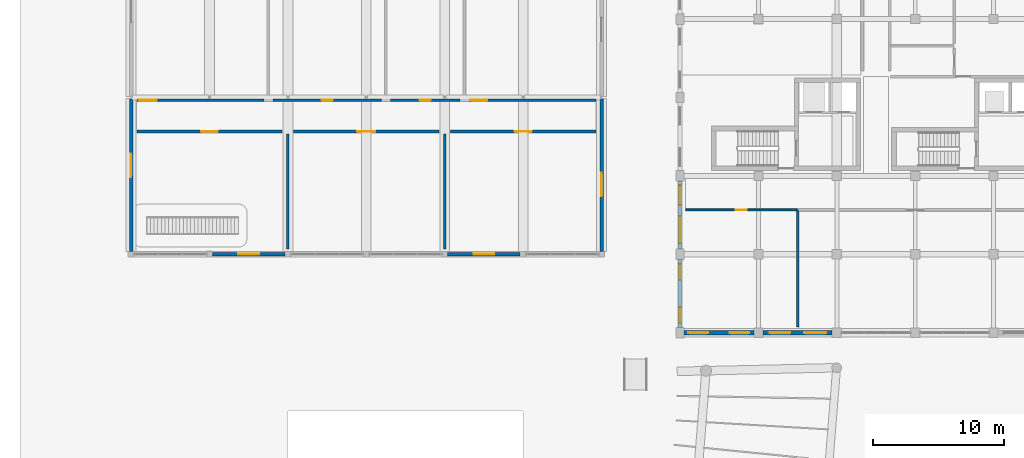
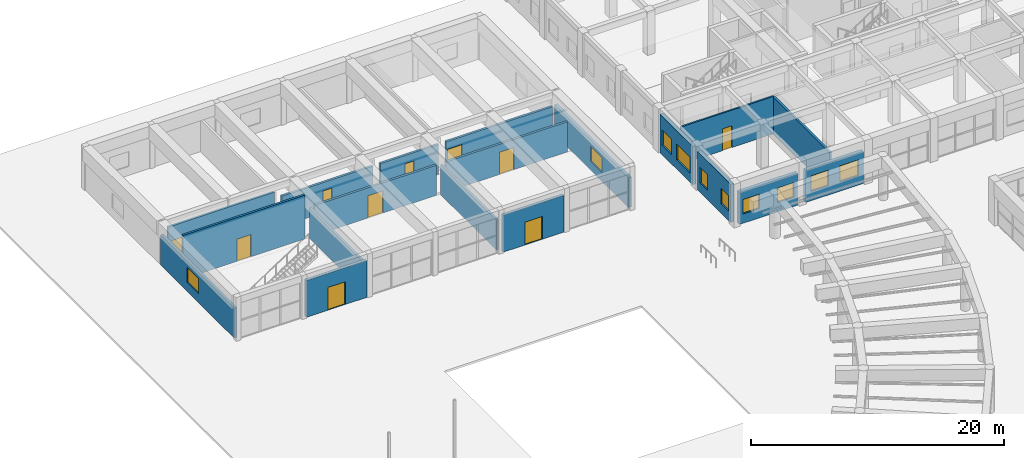
# One storey, part 54 of 76: 19 walls, 10 doors, 10 windows, 20 openings.
"""IFC4 building model written with IfcOpenShell, lengths in metres."""

from ifc_helpers import new_model, si_unit, direction, frame, frame_2d, origin, place, context, subcontext, project, spatial, rectangle, extrude, material, layer, layer_set, type_object, element, fill, save


model = new_model("IFC4")

# Units and contexts
model_context = context("Model", 3, precision=1e-05, world=origin(), true_north=direction((0.0, 1.0)))
body_context = subcontext(model_context, "Body", "Model", "MODEL_VIEW")
ifc_project = project(units=[si_unit("LENGTHUNIT", "METRE"), si_unit("AREAUNIT", "SQUARE_METRE"), si_unit("VOLUMEUNIT", "CUBIC_METRE"), si_unit("PLANEANGLEUNIT", "RADIAN"), si_unit("MASSUNIT", "GRAM", prefix="KILO"), si_unit("POWERUNIT", "WATT"), si_unit("THERMODYNAMICTEMPERATUREUNIT", "KELVIN")], contexts=[model_context])

# Site, building, storey
site_placement = place(None, origin())
site = spatial("IfcSite", under=ifc_project, at=site_placement, CompositionType="ELEMENT")
building_placement = place(site_placement, origin())
building = spatial("IfcBuilding", under=site, at=building_placement, Name="Ruvembo Vaulted Housing Court", CompositionType="ELEMENT")
storey_placement = place(building_placement, origin())
storey = spatial("IfcBuildingStorey", under=building, at=storey_placement, Name="L00", CompositionType="ELEMENT", Elevation=0.0)

# Wall, opening, door
ifc_material_1 = material(Name="Concrete Blockwork 200", Category="masonry")
ifc_layer_1 = layer(ifc_material_1, 0.199951171875, Name="Concrete Blockwork 200")
ifc_layer_set_1 = layer_set([ifc_layer_1], Name="Concrete Blockwork 200")
wall_type_1 = type_object("IfcWallType", Name="WL-CORR-200", PredefinedType="SOLIDWALL", material=ifc_layer_set_1)
wall_1_placement = place(storey_placement, frame((6.43994140625, 93.39990234375, 0.0), z_axis=(0.0, 0.0, 1.0), x_axis=(1.0, 0.0, 0.0)))
wall_1 = element("IfcWall", 1, at=wall_1_placement, inside=storey, type_object=wall_type_1, Name="L00 Nursery Reception & Stroller Lobby WL-INT-L00-00065", PredefinedType="SOLIDWALL", context=body_context, shape_type="SweptSolid", body=[
    extrude(rectangle(XDim=11.1201171875, YDim=0.199951171875, at=frame_2d((5.56005859375, 0.0))), origin(), (0.0, 0.0, 1.0), 4.22998046875),
])
opening_1_placement = place(wall_1_placement, frame((4.909912109375, 0.0, 0.0)))
opening_1 = element("IfcOpeningElement", 2, at=opening_1_placement, cuts=wall_1, Name="Opening CD2", PredefinedType="OPENING", context=body_context, shape_type="SweptSolid", body=[
    extrude(rectangle(XDim=1.300048828125, YDim=2.14990234375, at=frame_2d((0.64990234375, 1.074951171875))), frame((0.0, 0.10986328125, 0.0), z_axis=(0.0, -1.0, 0.0), x_axis=(1.0, 0.0, 0.0)), (0.0, 0.0, 1.0), 0.219970703125),
])
ifc_material_2 = material(Name="FSC Hardwood and Engineered Timber", Category="wood")
door_type_1 = type_object("IfcDoorType", Name="DR-CIVIC-1300x2150", OperationType="NOTDEFINED", PredefinedType="DOOR", material=ifc_material_2)
door_1_placement = place(opening_1_placement, origin())
door_1 = element("IfcDoor", 3, at=door_1_placement, inside=storey, type_object=door_type_1, Name="L00 Nursery Reception & Stroller Lobby Door DR-INT-L00-00021", OperationType="SINGLE_SWING_LEFT", OverallHeight=2.14990234375, OverallWidth=1.300048828125, PredefinedType="DOOR", context=body_context, shape_type="SweptSolid", body=[
    extrude(rectangle(XDim=1.300048828125, YDim=2.14990234375, at=frame_2d((0.64990234375, 1.074951171875))), frame((0.0, 0.02490234375, 0.0), z_axis=(0.0, -1.0, 0.0), x_axis=(1.0, 0.0, 0.0)), (0.0, 0.0, 1.0), 0.050048828125),
])
fill(opening_1, door_1)

# Wall
wall_2_placement = place(storey_placement, frame((18.0, 84.389892578125, 0.0), z_axis=(0.0, 0.0, 1.0), x_axis=(0.0, 1.0, 0.0)))
element("IfcWall", 4, at=wall_2_placement, inside=storey, type_object=wall_type_1, Name="L00 Nursery Reception & Stroller Lobby Div WL-INT-L00-00066", PredefinedType="SOLIDWALL", context=body_context, shape_type="SweptSolid", body=[
    extrude(rectangle(XDim=8.820068359375, YDim=0.199951171875, at=frame_2d((4.41015625, 0.0))), origin(), (0.0, 0.0, 1.0), 2.912109375),
])

# Wall, opening, door
wall_3_placement = place(storey_placement, frame((18.43994140625, 93.39990234375, 0.0), z_axis=(0.0, 0.0, 1.0), x_axis=(1.0, 0.0, 0.0)))
wall_3 = element("IfcWall", 5, at=wall_3_placement, inside=storey, type_object=wall_type_1, Name="L00 Toddler Playroom 1 WL-INT-L00-00067", PredefinedType="SOLIDWALL", context=body_context, shape_type="SweptSolid", body=[
    extrude(rectangle(XDim=11.1201171875, YDim=0.199951171875, at=frame_2d((5.56005859375, 0.0))), origin(), (0.0, 0.0, 1.0), 2.912109375),
])
opening_2_placement = place(wall_3_placement, frame((4.860107421875, 0.0, 0.0)))
opening_2 = element("IfcOpeningElement", 6, at=opening_2_placement, cuts=wall_3, Name="Opening CD1", PredefinedType="OPENING", context=body_context, shape_type="SweptSolid", body=[
    extrude(rectangle(XDim=1.39990234375, YDim=2.14990234375, at=frame_2d((0.699951171875, 1.074951171875))), frame((0.0, 0.10986328125, 0.0), z_axis=(0.0, -1.0, 0.0), x_axis=(1.0, 0.0, 0.0)), (0.0, 0.0, 1.0), 0.219970703125),
])
door_type_2 = type_object("IfcDoorType", Name="DR-CIVIC-1400x2150", OperationType="NOTDEFINED", PredefinedType="DOOR", material=ifc_material_2)
door_2_placement = place(opening_2_placement, origin())
door_2 = element("IfcDoor", 7, at=door_2_placement, inside=storey, type_object=door_type_2, Name="L00 Toddler Playroom 1 Door DR-INT-L00-00022", OperationType="SINGLE_SWING_RIGHT", OverallHeight=2.14990234375, OverallWidth=1.39990234375, PredefinedType="DOOR", context=body_context, shape_type="SweptSolid", body=[
    extrude(rectangle(XDim=1.39990234375, YDim=2.14990234375, at=frame_2d((0.699951171875, 1.074951171875))), frame((0.0, 0.02490234375, 0.0), z_axis=(0.0, -1.0, 0.0), x_axis=(1.0, 0.0, 0.0)), (0.0, 0.0, 1.0), 0.050048828125),
])
fill(opening_2, door_2)

# Wall
wall_4_placement = place(storey_placement, frame((30.0, 84.389892578125, 0.0), z_axis=(0.0, 0.0, 1.0), x_axis=(0.0, 1.0, 0.0)))
element("IfcWall", 8, at=wall_4_placement, inside=storey, type_object=wall_type_1, Name="L00 Toddler Playroom 1 Div WL-INT-L00-00068", PredefinedType="SOLIDWALL", context=body_context, shape_type="SweptSolid", body=[
    extrude(rectangle(XDim=8.820068359375, YDim=0.199951171875, at=frame_2d((4.41015625, 0.0))), origin(), (0.0, 0.0, 1.0), 2.912109375),
])

# Wall, opening, door
wall_5_placement = place(storey_placement, frame((30.43994140625, 93.39990234375, 0.0), z_axis=(0.0, 0.0, 1.0), x_axis=(1.0, 0.0, 0.0)))
wall_5 = element("IfcWall", 9, at=wall_5_placement, inside=storey, type_object=wall_type_1, Name="L00 Preschool Playroom 2 WL-INT-L00-00069", PredefinedType="SOLIDWALL", context=body_context, shape_type="SweptSolid", body=[
    extrude(rectangle(XDim=11.1201171875, YDim=0.199951171875, at=frame_2d((5.56005859375, 0.0))), origin(), (0.0, 0.0, 1.0), 2.912109375),
])
opening_3_placement = place(wall_5_placement, frame((4.909912109375, 0.0, 0.0)))
opening_3 = element("IfcOpeningElement", 10, at=opening_3_placement, cuts=wall_5, Name="Opening CD2", PredefinedType="OPENING", context=body_context, shape_type="SweptSolid", body=[
    extrude(rectangle(XDim=1.300048828125, YDim=2.14990234375, at=frame_2d((0.64990234375, 1.074951171875))), frame((0.0, 0.10986328125, 0.0), z_axis=(0.0, -1.0, 0.0), x_axis=(1.0, 0.0, 0.0)), (0.0, 0.0, 1.0), 0.219970703125),
])
door_3_placement = place(opening_3_placement, origin())
door_3 = element("IfcDoor", 11, at=door_3_placement, inside=storey, type_object=door_type_1, Name="L00 Preschool Playroom 2 Door DR-INT-L00-00023", OperationType="SINGLE_SWING_LEFT", OverallHeight=2.14990234375, OverallWidth=1.300048828125, PredefinedType="DOOR", context=body_context, shape_type="SweptSolid", body=[
    extrude(rectangle(XDim=1.300048828125, YDim=2.14990234375, at=frame_2d((0.64990234375, 1.074951171875))), frame((0.0, 0.02490234375, 0.0), z_axis=(0.0, -1.0, 0.0), x_axis=(1.0, 0.0, 0.0)), (0.0, 0.0, 1.0), 0.050048828125),
])
fill(opening_3, door_3)

wall_6_placement = place(storey_placement, frame((6.43994140625, 95.800048828125, 0.0), z_axis=(0.0, 0.0, 1.0), x_axis=(1.0, 0.0, 0.0)))
wall_6 = element("IfcWall", 12, at=wall_6_placement, inside=storey, type_object=wall_type_1, Name="L00 Milk Kitchen & Pantry WL-INT-L00-00070", PredefinedType="SOLIDWALL", context=body_context, shape_type="SweptSolid", body=[
    extrude(rectangle(XDim=9.719970703125, YDim=0.199951171875, at=frame_2d((4.85986328125, 0.0))), origin(), (0.0, 0.0, 1.0), 3.56201171875),
])
opening_4_placement = place(wall_6_placement, frame((0.1298828125, 0.0, 0.0)))
opening_4 = element("IfcOpeningElement", 13, at=opening_4_placement, cuts=wall_6, Name="Opening CD1", PredefinedType="OPENING", context=body_context, shape_type="SweptSolid", body=[
    extrude(rectangle(XDim=1.39990234375, YDim=2.14990234375, at=frame_2d((0.699951171875, 1.074951171875))), frame((0.0, 0.10986328125, 0.0), z_axis=(0.0, -1.0, 0.0), x_axis=(1.0, 0.0, 0.0)), (0.0, 0.0, 1.0), 0.219970703125),
])
door_4_placement = place(opening_4_placement, origin())
door_4 = element("IfcDoor", 14, at=door_4_placement, inside=storey, type_object=door_type_2, Name="L00 Milk Kitchen & Pantry Door DR-INT-L00-00024", OperationType="SINGLE_SWING_RIGHT", OverallHeight=2.14990234375, OverallWidth=1.39990234375, PredefinedType="DOOR", context=body_context, shape_type="SweptSolid", body=[
    extrude(rectangle(XDim=1.39990234375, YDim=2.14990234375, at=frame_2d((0.699951171875, 1.074951171875))), frame((0.0, 0.02490234375, 0.0), z_axis=(0.0, -1.0, 0.0), x_axis=(1.0, 0.0, 0.0)), (0.0, 0.0, 1.0), 0.050048828125),
])
fill(opening_4, door_4)

wall_7_placement = place(storey_placement, frame((16.840087890625, 95.800048828125, 0.0), z_axis=(0.0, 0.0, 1.0), x_axis=(1.0, 0.0, 0.0)))
wall_7 = element("IfcWall", 15, at=wall_7_placement, inside=storey, type_object=wall_type_1, Name="L00 Children's Toilets and Changing WL-INT-L00-00072", PredefinedType="SOLIDWALL", context=body_context, shape_type="SweptSolid", body=[
    extrude(rectangle(XDim=8.31982421875, YDim=0.199951171875, at=frame_2d((4.159912109375, 0.0))), origin(), (0.0, 0.0, 1.0), 2.912109375),
])
opening_5_placement = place(wall_7_placement, frame((3.735107421875, 0.0, 0.0)))
opening_5 = element("IfcOpeningElement", 16, at=opening_5_placement, cuts=wall_7, Name="Opening ID2", PredefinedType="OPENING", context=body_context, shape_type="SweptSolid", body=[
    extrude(rectangle(XDim=0.85009765625, YDim=2.10009765625, at=frame_2d((0.425048828125, 1.050048828125))), frame((0.0, 0.10986328125, 0.0), z_axis=(0.0, -1.0, 0.0), x_axis=(1.0, 0.0, 0.0)), (0.0, 0.0, 1.0), 0.219970703125),
])
door_type_3 = type_object("IfcDoorType", Name="DR-WET-0850x2100", OperationType="NOTDEFINED", PredefinedType="DOOR", material=ifc_material_2)
door_5_placement = place(opening_5_placement, origin())
door_5 = element("IfcDoor", 17, at=door_5_placement, inside=storey, type_object=door_type_3, Name="L00 Children's Toilets and Changing Door DR-INT-L00-00025", OperationType="SINGLE_SWING_LEFT", OverallHeight=2.10009765625, OverallWidth=0.85009765625, PredefinedType="DOOR", context=body_context, shape_type="SweptSolid", body=[
    extrude(rectangle(XDim=0.85009765625, YDim=2.10009765625, at=frame_2d((0.425048828125, 1.050048828125))), frame((0.0, 0.02490234375, 0.0), z_axis=(0.0, -1.0, 0.0), x_axis=(1.0, 0.0, 0.0)), (0.0, 0.0, 1.0), 0.050048828125),
])
fill(opening_5, door_5)

wall_8_placement = place(storey_placement, frame((25.840087890625, 95.800048828125, 0.0), z_axis=(0.0, 0.0, 1.0), x_axis=(1.0, 0.0, 0.0)))
wall_8 = element("IfcWall", 18, at=wall_8_placement, inside=storey, type_object=wall_type_1, Name="L00 Nursery Accessible WC WL-INT-L00-00074", PredefinedType="SOLIDWALL", context=body_context, shape_type="SweptSolid", body=[
    extrude(rectangle(XDim=5.31982421875, YDim=0.199951171875, at=frame_2d((2.659912109375, 0.0))), origin(), (0.0, 0.0, 1.0), 2.912109375),
])
opening_6_placement = place(wall_8_placement, frame((2.235107421875, 0.0, 0.0)))
opening_6 = element("IfcOpeningElement", 19, at=opening_6_placement, cuts=wall_8, Name="Opening ID2", PredefinedType="OPENING", context=body_context, shape_type="SweptSolid", body=[
    extrude(rectangle(XDim=0.85009765625, YDim=2.10009765625, at=frame_2d((0.425048828125, 1.050048828125))), frame((0.0, 0.10986328125, 0.0), z_axis=(0.0, -1.0, 0.0), x_axis=(1.0, 0.0, 0.0)), (0.0, 0.0, 1.0), 0.219970703125),
])
door_6_placement = place(opening_6_placement, origin())
door_6 = element("IfcDoor", 20, at=door_6_placement, inside=storey, type_object=door_type_3, Name="L00 Nursery Accessible WC Door DR-INT-L00-00026", OperationType="SINGLE_SWING_RIGHT", OverallHeight=2.10009765625, OverallWidth=0.85009765625, PredefinedType="DOOR", context=body_context, shape_type="SweptSolid", body=[
    extrude(rectangle(XDim=0.85009765625, YDim=2.10009765625, at=frame_2d((0.425048828125, 1.050048828125))), frame((0.0, 0.02490234375, 0.0), z_axis=(0.0, -1.0, 0.0), x_axis=(1.0, 0.0, 0.0)), (0.0, 0.0, 1.0), 0.050048828125),
])
fill(opening_6, door_6)

wall_9_placement = place(storey_placement, frame((31.840087890625, 95.800048828125, 0.0), z_axis=(0.0, 0.0, 1.0), x_axis=(1.0, 0.0, 0.0)))
wall_9 = element("IfcWall", 21, at=wall_9_placement, inside=storey, type_object=wall_type_1, Name="L00 Quiet Nap & Sensory Room WL-INT-L00-00076", PredefinedType="SOLIDWALL", context=body_context, shape_type="SweptSolid", body=[
    extrude(rectangle(XDim=9.719970703125, YDim=0.199951171875, at=frame_2d((4.85986328125, 0.0))), origin(), (0.0, 0.0, 1.0), 2.912109375),
])
opening_7_placement = place(wall_9_placement, frame((0.1298828125, 0.0, 0.0)))
opening_7 = element("IfcOpeningElement", 22, at=opening_7_placement, cuts=wall_9, Name="Opening CD2", PredefinedType="OPENING", context=body_context, shape_type="SweptSolid", body=[
    extrude(rectangle(XDim=1.300048828125, YDim=2.14990234375, at=frame_2d((0.64990234375, 1.074951171875))), frame((0.0, 0.10986328125, 0.0), z_axis=(0.0, -1.0, 0.0), x_axis=(1.0, 0.0, 0.0)), (0.0, 0.0, 1.0), 0.219970703125),
])
door_7_placement = place(opening_7_placement, origin())
door_7 = element("IfcDoor", 23, at=door_7_placement, inside=storey, type_object=door_type_1, Name="L00 Quiet Nap & Sensory Room Door DR-INT-L00-00027", OperationType="SINGLE_SWING_LEFT", OverallHeight=2.14990234375, OverallWidth=1.300048828125, PredefinedType="DOOR", context=body_context, shape_type="SweptSolid", body=[
    extrude(rectangle(XDim=1.300048828125, YDim=2.14990234375, at=frame_2d((0.64990234375, 1.074951171875))), frame((0.0, 0.02490234375, 0.0), z_axis=(0.0, -1.0, 0.0), x_axis=(1.0, 0.0, 0.0)), (0.0, 0.0, 1.0), 0.050048828125),
])
fill(opening_7, door_7)

# Wall
wall_10_placement = place(storey_placement, frame((57.0, 78.43994140625, 0.0), z_axis=(0.0, 0.0, 1.0), x_axis=(0.0, 1.0, 0.0)))
element("IfcWall", 24, at=wall_10_placement, inside=storey, type_object=wall_type_1, Name="L00 Lobby W WL-INT-L00-00108", PredefinedType="SOLIDWALL", context=body_context, shape_type="SweptSolid", body=[
    extrude(rectangle(XDim=8.920166015625, YDim=0.199951171875, at=frame_2d((4.4599609375, 0.0))), origin(), (0.0, 0.0, 1.0), 3.56201171875),
])

# Wall, opening, door
ifc_material_3 = material(Name="Rendered Masonry 260", Category="masonry")
ifc_layer_2 = layer(ifc_material_3, 0.260009765625, Name="Rendered Masonry 260")
ifc_layer_set_2 = layer_set([ifc_layer_2], Name="Rendered Masonry 260")
wall_type_2 = type_object("IfcWallType", Name="WL-EXT-260", PredefinedType="STANDARD", material=ifc_layer_set_2)
wall_11_placement = place(storey_placement, frame((12.22509765625, 84.0, 0.0), z_axis=(0.0, 0.0, 1.0), x_axis=(1.0, 0.0, 0.0)))
wall_11 = element("IfcWall", 25, at=wall_11_placement, inside=storey, type_object=wall_type_2, Name="Nursery Entrance Wall B2", PredefinedType="STANDARD", context=body_context, shape_type="SweptSolid", body=[
    extrude(rectangle(XDim=5.5498046875, YDim=0.260009765625, at=frame_2d((2.77490234375, 0.0))), origin(), (0.0, 0.0, 1.0), 3.56201171875),
])
opening_8_placement = place(wall_11_placement, frame((1.97509765625, 0.0, 0.0)))
opening_8 = element("IfcOpeningElement", 26, at=opening_8_placement, cuts=wall_11, Name="Opening EX2", PredefinedType="OPENING", context=body_context, shape_type="SweptSolid", body=[
    extrude(rectangle(XDim=1.60009765625, YDim=2.199951171875, at=frame_2d((0.800048828125, 1.10009765625))), frame((0.0, 0.139892578125, 0.0), z_axis=(0.0, -1.0, 0.0), x_axis=(1.0, 0.0, 0.0)), (0.0, 0.0, 1.0), 0.280029296875),
])
ifc_material_4 = material(Name="Thermally Broken Glazed Aluminium", Category="aluminium")
door_type_4 = type_object("IfcDoorType", Name="DR-EXIT-1600x2200", OperationType="NOTDEFINED", PredefinedType="DOOR", material=ifc_material_4)
door_8_placement = place(opening_8_placement, frame((1.60009765625, 0.0, 0.0), z_axis=(0.0, 0.0, 1.0), x_axis=(-1.0, 0.0, 0.0)))
door_8 = element("IfcDoor", 27, at=door_8_placement, inside=storey, type_object=door_type_4, Name="Nursery Final Exit Door 2", OperationType="DOUBLE_DOOR_SINGLE_SWING", OverallHeight=2.199951171875, OverallWidth=1.60009765625, PredefinedType="DOOR", context=body_context, shape_type="SweptSolid", body=[
    extrude(rectangle(XDim=1.60009765625, YDim=2.199951171875, at=frame_2d((0.800048828125, 1.10009765625))), frame((0.0, 0.02490234375, 0.0), z_axis=(0.0, -1.0, 0.0), x_axis=(1.0, 0.0, 0.0)), (0.0, 0.0, 1.0), 0.050048828125),
])
fill(opening_8, door_8)

wall_12_placement = place(storey_placement, frame((30.22509765625, 84.0, 0.0), z_axis=(0.0, 0.0, 1.0), x_axis=(1.0, 0.0, 0.0)))
wall_12 = element("IfcWall", 28, at=wall_12_placement, inside=storey, type_object=wall_type_2, Name="Nursery Entrance Wall B5", PredefinedType="STANDARD", context=body_context, shape_type="SweptSolid", body=[
    extrude(rectangle(XDim=5.5498046875, YDim=0.260009765625, at=frame_2d((2.77490234375, 0.0))), origin(), (0.0, 0.0, 1.0), 3.56201171875),
])
opening_9_placement = place(wall_12_placement, frame((1.97509765625, 0.0, 0.0)))
opening_9 = element("IfcOpeningElement", 29, at=opening_9_placement, cuts=wall_12, Name="Opening EX2", PredefinedType="OPENING", context=body_context, shape_type="SweptSolid", body=[
    extrude(rectangle(XDim=1.60009765625, YDim=2.199951171875, at=frame_2d((0.800048828125, 1.10009765625))), frame((0.0, 0.139892578125, 0.0), z_axis=(0.0, -1.0, 0.0), x_axis=(1.0, 0.0, 0.0)), (0.0, 0.0, 1.0), 0.280029296875),
])
door_9_placement = place(opening_9_placement, frame((1.60009765625, 0.0, 0.0), z_axis=(0.0, 0.0, 1.0), x_axis=(-1.0, 0.0, 0.0)))
door_9 = element("IfcDoor", 30, at=door_9_placement, inside=storey, type_object=door_type_4, Name="Nursery Final Exit Door 5", OperationType="DOUBLE_DOOR_SINGLE_SWING", OverallHeight=2.199951171875, OverallWidth=1.60009765625, PredefinedType="DOOR", context=body_context, shape_type="SweptSolid", body=[
    extrude(rectangle(XDim=1.60009765625, YDim=2.199951171875, at=frame_2d((0.800048828125, 1.10009765625))), frame((0.0, 0.02490234375, 0.0), z_axis=(0.0, -1.0, 0.0), x_axis=(1.0, 0.0, 0.0)), (0.0, 0.0, 1.0), 0.050048828125),
])
fill(opening_9, door_9)

# Wall, opening, window
wall_13_placement = place(storey_placement, frame((6.0, 95.89990234375, 0.0), z_axis=(0.0, 0.0, 1.0), x_axis=(0.0, -1.0, 0.0)))
wall_13 = element("IfcWall", 31, at=wall_13_placement, inside=storey, type_object=wall_type_2, Name="Nursery W Wall L00 #1", PredefinedType="STANDARD", context=body_context, shape_type="SweptSolid", body=[
    extrude(rectangle(XDim=11.6748046875, YDim=0.260009765625, at=frame_2d((5.83740234375, 0.0))), origin(), (0.0, 0.0, 1.0), 2.912109375),
])
opening_10_placement = place(wall_13_placement, frame((4.199951171875, 0.0, 0.85009765625)))
opening_10 = element("IfcOpeningElement", 32, at=opening_10_placement, cuts=wall_13, Name="Opening W22", PredefinedType="OPENING", context=body_context, shape_type="SweptSolid", body=[
    extrude(rectangle(XDim=1.800048828125, YDim=1.449951171875, at=frame_2d((0.89990234375, 0.72509765625))), frame((0.0, 0.139892578125, 0.0), z_axis=(0.0, -1.0, 0.0), x_axis=(1.0, 0.0, 0.0)), (0.0, 0.0, 1.0), 0.280029296875),
])
ifc_material_5 = material(Name="Double Solar-Control Glazing in Aluminium Frame", Category="aluminium")
window_type_1 = type_object("IfcWindowType", Name="WIN-1800x1450", PartitioningType="SINGLE_PANEL", PredefinedType="WINDOW", material=ifc_material_5)
window_1_placement = place(opening_10_placement, origin())
window_1 = element("IfcWindow", 33, at=window_1_placement, inside=storey, type_object=window_type_1, Name="Nursery W Window L00 #1", OverallHeight=1.449951171875, OverallWidth=1.800048828125, PartitioningType="SINGLE_PANEL", PredefinedType="WINDOW", context=body_context, shape_type="SweptSolid", body=[
    extrude(rectangle(XDim=1.800048828125, YDim=1.449951171875, at=frame_2d((0.89990234375, 0.72509765625))), frame((0.0, 0.030029296875, 0.0), z_axis=(0.0, -1.0, 0.0), x_axis=(1.0, 0.0, 0.0)), (0.0, 0.0, 1.0), 0.06005859375),
])
fill(opening_10, window_1)

wall_14_placement = place(storey_placement, frame((42.0, 84.22509765625, 0.0), z_axis=(0.0, 0.0, 1.0), x_axis=(0.0, 1.0, 0.0)))
wall_14 = element("IfcWall", 34, at=wall_14_placement, inside=storey, type_object=wall_type_2, Name="Nursery E Wall L00 #1", PredefinedType="STANDARD", context=body_context, shape_type="SweptSolid", body=[
    extrude(rectangle(XDim=11.6748046875, YDim=0.260009765625, at=frame_2d((5.83740234375, 0.0))), origin(), (0.0, 0.0, 1.0), 2.912109375),
])
opening_11_placement = place(wall_14_placement, frame((4.199951171875, 0.0, 0.85009765625)))
opening_11 = element("IfcOpeningElement", 35, at=opening_11_placement, cuts=wall_14, Name="Opening W22", PredefinedType="OPENING", context=body_context, shape_type="SweptSolid", body=[
    extrude(rectangle(XDim=1.800048828125, YDim=1.449951171875, at=frame_2d((0.89990234375, 0.72509765625))), frame((0.0, 0.139892578125, 0.0), z_axis=(0.0, -1.0, 0.0), x_axis=(1.0, 0.0, 0.0)), (0.0, 0.0, 1.0), 0.280029296875),
])
window_2_placement = place(opening_11_placement, origin())
window_2 = element("IfcWindow", 36, at=window_2_placement, inside=storey, type_object=window_type_1, Name="Nursery E Window L00 #1", OverallHeight=1.449951171875, OverallWidth=1.800048828125, PartitioningType="SINGLE_PANEL", PredefinedType="WINDOW", context=body_context, shape_type="SweptSolid", body=[
    extrude(rectangle(XDim=1.800048828125, YDim=1.449951171875, at=frame_2d((0.89990234375, 0.72509765625))), frame((0.0, 0.030029296875, 0.0), z_axis=(0.0, -1.0, 0.0), x_axis=(1.0, 0.0, 0.0)), (0.0, 0.0, 1.0), 0.06005859375),
])
fill(opening_11, window_2)

# Wall, openings, windows
ifc_material_6 = material(Name="Rendered Masonry 320", Category="masonry")
ifc_layer_3 = layer(ifc_material_6, 0.320068359375, Name="Rendered Masonry 320")
ifc_layer_set_3 = layer_set([ifc_layer_3], Name="Rendered Masonry 320")
wall_type_3 = type_object("IfcWallType", Name="WL-EXT-320", PredefinedType="STANDARD", material=ifc_layer_set_3)
wall_15_placement = place(storey_placement, frame((48.300048828125, 78.0, 0.0), z_axis=(0.0, 0.0, 1.0), x_axis=(1.0, 0.0, 0.0)))
wall_15 = element("IfcWall", 37, at=wall_15_placement, inside=storey, type_object=wall_type_3, Name="Block B L00 Exterior Wall COURTYARD #1", PredefinedType="STANDARD", context=body_context, shape_type="SweptSolid", body=[
    extrude(rectangle(XDim=5.349853515625, YDim=0.320068359375, at=frame_2d((2.6748046875, 0.0))), origin(), (0.0, 0.0, 1.0), 3.112060546875),
])
opening_12_placement = place(wall_15_placement, frame((0.35009765625, 0.0, 0.89990234375)))
opening_12 = element("IfcOpeningElement", 38, at=opening_12_placement, cuts=wall_15, Name="Opening W18", PredefinedType="OPENING", context=body_context, shape_type="SweptSolid", body=[
    extrude(rectangle(XDim=1.5, YDim=1.39990234375, at=frame_2d((0.75, 0.699951171875))), frame((0.0, 0.169921875, 0.0), z_axis=(0.0, -1.0, 0.0), x_axis=(1.0, 0.0, 0.0)), (0.0, 0.0, 1.0), 0.340087890625),
])
opening_13_placement = place(wall_15_placement, frame((3.5, 0.0, 0.89990234375)))
opening_13 = element("IfcOpeningElement", 39, at=opening_13_placement, cuts=wall_15, Name="Opening W18", PredefinedType="OPENING", context=body_context, shape_type="SweptSolid", body=[
    extrude(rectangle(XDim=1.5, YDim=1.39990234375, at=frame_2d((0.75, 0.699951171875))), frame((0.0, 0.169921875, 0.0), z_axis=(0.0, -1.0, 0.0), x_axis=(1.0, 0.0, 0.0)), (0.0, 0.0, 1.0), 0.340087890625),
])
window_type_2 = type_object("IfcWindowType", Name="WIN-1500x1400", PartitioningType="SINGLE_PANEL", PredefinedType="WINDOW", material=ifc_material_5)
window_3_placement = place(opening_12_placement, origin())
window_3 = element("IfcWindow", 40, at=window_3_placement, inside=storey, type_object=window_type_2, Name="Block B L00 Window #604", OverallHeight=1.39990234375, OverallWidth=1.5, PartitioningType="SINGLE_PANEL", PredefinedType="WINDOW", context=body_context, shape_type="SweptSolid", body=[
    extrude(rectangle(XDim=1.5, YDim=1.39990234375, at=frame_2d((0.75, 0.699951171875))), frame((0.0, 0.030029296875, 0.0), z_axis=(0.0, -1.0, 0.0), x_axis=(1.0, 0.0, 0.0)), (0.0, 0.0, 1.0), 0.06005859375),
])
fill(opening_12, window_3)
window_4_placement = place(opening_13_placement, origin())
window_4 = element("IfcWindow", 41, at=window_4_placement, inside=storey, type_object=window_type_2, Name="Block B L00 Window #605", OverallHeight=1.39990234375, OverallWidth=1.5, PartitioningType="SINGLE_PANEL", PredefinedType="WINDOW", context=body_context, shape_type="SweptSolid", body=[
    extrude(rectangle(XDim=1.5, YDim=1.39990234375, at=frame_2d((0.75, 0.699951171875))), frame((0.0, 0.030029296875, 0.0), z_axis=(0.0, -1.0, 0.0), x_axis=(1.0, 0.0, 0.0)), (0.0, 0.0, 1.0), 0.06005859375),
])
fill(opening_13, window_4)

wall_16_placement = place(storey_placement, frame((54.35009765625, 78.0, 0.0), z_axis=(0.0, 0.0, 1.0), x_axis=(1.0, 0.0, 0.0)))
wall_16 = element("IfcWall", 42, at=wall_16_placement, inside=storey, type_object=wall_type_3, Name="Block B L00 Exterior Wall COURTYARD #2", PredefinedType="STANDARD", context=body_context, shape_type="SweptSolid", body=[
    extrude(rectangle(XDim=5.2998046875, YDim=0.320068359375, at=frame_2d((2.64990234375, 0.0))), origin(), (0.0, 0.0, 1.0), 3.112060546875),
])
opening_14_placement = place(wall_16_placement, frame((0.5048828125, 0.0, 0.89990234375)))
opening_14 = element("IfcOpeningElement", 43, at=opening_14_placement, cuts=wall_16, Name="Opening W20", PredefinedType="OPENING", context=body_context, shape_type="SweptSolid", body=[
    extrude(rectangle(XDim=1.60009765625, YDim=1.5, at=frame_2d((0.800048828125, 0.75))), frame((0.0, 0.169921875, 0.0), z_axis=(0.0, -1.0, 0.0), x_axis=(1.0, 0.0, 0.0)), (0.0, 0.0, 1.0), 0.340087890625),
])
opening_15_placement = place(wall_16_placement, frame((3.14501953125, 0.0, 0.89990234375)))
opening_15 = element("IfcOpeningElement", 44, at=opening_15_placement, cuts=wall_16, Name="Opening W21", PredefinedType="OPENING", context=body_context, shape_type="SweptSolid", body=[
    extrude(rectangle(XDim=1.699951171875, YDim=1.550048828125, at=frame_2d((0.85009765625, 0.77490234375))), frame((0.0, 0.169921875, 0.0), z_axis=(0.0, -1.0, 0.0), x_axis=(1.0, 0.0, 0.0)), (0.0, 0.0, 1.0), 0.340087890625),
])
window_type_3 = type_object("IfcWindowType", Name="WIN-1600x1500", PartitioningType="SINGLE_PANEL", PredefinedType="WINDOW", material=ifc_material_5)
window_5_placement = place(opening_14_placement, origin())
window_5 = element("IfcWindow", 45, at=window_5_placement, inside=storey, type_object=window_type_3, Name="Block B L00 Window #606", OverallHeight=1.5, OverallWidth=1.60009765625, PartitioningType="SINGLE_PANEL", PredefinedType="WINDOW", context=body_context, shape_type="SweptSolid", body=[
    extrude(rectangle(XDim=1.60009765625, YDim=1.5, at=frame_2d((0.800048828125, 0.75))), frame((0.0, 0.030029296875, 0.0), z_axis=(0.0, -1.0, 0.0), x_axis=(1.0, 0.0, 0.0)), (0.0, 0.0, 1.0), 0.06005859375),
])
fill(opening_14, window_5)
window_type_4 = type_object("IfcWindowType", Name="WIN-1700x1550", PartitioningType="SINGLE_PANEL", PredefinedType="WINDOW", material=ifc_material_5)
window_6_placement = place(opening_15_placement, origin())
window_6 = element("IfcWindow", 46, at=window_6_placement, inside=storey, type_object=window_type_4, Name="Block B L00 Window #607", OverallHeight=1.550048828125, OverallWidth=1.699951171875, PartitioningType="SINGLE_PANEL", PredefinedType="WINDOW", context=body_context, shape_type="SweptSolid", body=[
    extrude(rectangle(XDim=1.699951171875, YDim=1.550048828125, at=frame_2d((0.85009765625, 0.77490234375))), frame((0.0, 0.030029296875, 0.0), z_axis=(0.0, -1.0, 0.0), x_axis=(1.0, 0.0, 0.0)), (0.0, 0.0, 1.0), 0.06005859375),
])
fill(opening_15, window_6)

wall_17_placement = place(storey_placement, frame((48.0, 89.60009765625, 0.0), z_axis=(0.0, 0.0, 1.0), x_axis=(0.0, -1.0, 0.0)))
wall_17 = element("IfcWall", 47, at=wall_17_placement, inside=storey, type_object=wall_type_3, Name="Block B L00 Exterior Wall WEST #5", PredefinedType="STANDARD", context=body_context, shape_type="SweptSolid", body=[
    extrude(rectangle(XDim=5.2001953125, YDim=0.320068359375, at=frame_2d((2.60009765625, 0.0))), origin(), (0.0, 0.0, 1.0), 3.7119140625),
])
opening_16_placement = place(wall_17_placement, frame((0.330078125, 0.0, 0.89990234375)))
opening_16 = element("IfcOpeningElement", 48, at=opening_16_placement, cuts=wall_17, Name="Opening W19", PredefinedType="OPENING", context=body_context, shape_type="SweptSolid", body=[
    extrude(rectangle(XDim=1.5, YDim=1.5, at=frame_2d((0.75, 0.75))), frame((0.0, 0.169921875, 0.0), z_axis=(0.0, -1.0, 0.0), x_axis=(1.0, 0.0, 0.0)), (0.0, 0.0, 1.0), 0.340087890625),
])
opening_17_placement = place(wall_17_placement, frame((2.669921875, 0.0, 0.89990234375)))
opening_17 = element("IfcOpeningElement", 49, at=opening_17_placement, cuts=wall_17, Name="Opening W25", PredefinedType="OPENING", context=body_context, shape_type="SweptSolid", body=[
    extrude(rectangle(XDim=2.10009765625, YDim=1.550048828125, at=frame_2d((1.050048828125, 0.77490234375))), frame((0.0, 0.169921875, 0.0), z_axis=(0.0, -1.0, 0.0), x_axis=(1.0, 0.0, 0.0)), (0.0, 0.0, 1.0), 0.340087890625),
])
window_type_5 = type_object("IfcWindowType", Name="WIN-1500x1500", PartitioningType="SINGLE_PANEL", PredefinedType="WINDOW", material=ifc_material_5)
window_7_placement = place(opening_16_placement, origin())
window_7 = element("IfcWindow", 50, at=window_7_placement, inside=storey, type_object=window_type_5, Name="Block B L00 Window #640", OverallHeight=1.5, OverallWidth=1.5, PartitioningType="SINGLE_PANEL", PredefinedType="WINDOW", context=body_context, shape_type="SweptSolid", body=[
    extrude(rectangle(XDim=1.5, YDim=1.5, at=frame_2d((0.75, 0.75))), frame((0.0, 0.030029296875, 0.0), z_axis=(0.0, -1.0, 0.0), x_axis=(1.0, 0.0, 0.0)), (0.0, 0.0, 1.0), 0.06005859375),
])
fill(opening_16, window_7)
window_type_6 = type_object("IfcWindowType", Name="WIN-2100x1550", PartitioningType="SINGLE_PANEL", PredefinedType="WINDOW", material=ifc_material_5)
window_8_placement = place(opening_17_placement, origin())
window_8 = element("IfcWindow", 51, at=window_8_placement, inside=storey, type_object=window_type_6, Name="Block B L00 Window #641", OverallHeight=1.550048828125, OverallWidth=2.10009765625, PartitioningType="SINGLE_PANEL", PredefinedType="WINDOW", context=body_context, shape_type="SweptSolid", body=[
    extrude(rectangle(XDim=2.10009765625, YDim=1.550048828125, at=frame_2d((1.050048828125, 0.77490234375))), frame((0.0, 0.030029296875, 0.0), z_axis=(0.0, -1.0, 0.0), x_axis=(1.0, 0.0, 0.0)), (0.0, 0.0, 1.0), 0.06005859375),
])
fill(opening_17, window_8)

wall_18_placement = place(storey_placement, frame((48.0, 83.60009765625, 0.0), z_axis=(0.0, 0.0, 1.0), x_axis=(0.0, -1.0, 0.0)))
wall_18 = element("IfcWall", 52, at=wall_18_placement, inside=storey, type_object=wall_type_3, Name="Block B L00 Exterior Wall WEST #6", PredefinedType="STANDARD", context=body_context, shape_type="SweptSolid", body=[
    extrude(rectangle(XDim=5.2001953125, YDim=0.320068359375, at=frame_2d((2.60009765625, 0.0))), origin(), (0.0, 0.0, 1.0), 3.7119140625),
])
opening_18_placement = place(wall_18_placement, frame((0.35009765625, 0.0, 0.89990234375)))
opening_18 = element("IfcOpeningElement", 53, at=opening_18_placement, cuts=wall_18, Name="Opening W14", PredefinedType="OPENING", context=body_context, shape_type="SweptSolid", body=[
    extrude(rectangle(XDim=1.199951171875, YDim=1.5, at=frame_2d((0.60009765625, 0.75))), frame((0.0, 0.169921875, 0.0), z_axis=(0.0, -1.0, 0.0), x_axis=(1.0, 0.0, 0.0)), (0.0, 0.0, 1.0), 0.340087890625),
])
opening_19_placement = place(wall_18_placement, frame((3.64990234375, 0.0, 0.89990234375)))
opening_19 = element("IfcOpeningElement", 54, at=opening_19_placement, cuts=wall_18, Name="Opening W14", PredefinedType="OPENING", context=body_context, shape_type="SweptSolid", body=[
    extrude(rectangle(XDim=1.199951171875, YDim=1.5, at=frame_2d((0.60009765625, 0.75))), frame((0.0, 0.169921875, 0.0), z_axis=(0.0, -1.0, 0.0), x_axis=(1.0, 0.0, 0.0)), (0.0, 0.0, 1.0), 0.340087890625),
])
window_type_7 = type_object("IfcWindowType", Name="WIN-1200x1500", PartitioningType="SINGLE_PANEL", PredefinedType="WINDOW", material=ifc_material_5)
window_9_placement = place(opening_18_placement, origin())
window_9 = element("IfcWindow", 55, at=window_9_placement, inside=storey, type_object=window_type_7, Name="Block B L00 Window #642", OverallHeight=1.5, OverallWidth=1.199951171875, PartitioningType="SINGLE_PANEL", PredefinedType="WINDOW", context=body_context, shape_type="SweptSolid", body=[
    extrude(rectangle(XDim=1.199951171875, YDim=1.5, at=frame_2d((0.60009765625, 0.75))), frame((0.0, 0.030029296875, 0.0), z_axis=(0.0, -1.0, 0.0), x_axis=(1.0, 0.0, 0.0)), (0.0, 0.0, 1.0), 0.06005859375),
])
fill(opening_18, window_9)
window_10_placement = place(opening_19_placement, origin())
window_10 = element("IfcWindow", 56, at=window_10_placement, inside=storey, type_object=window_type_7, Name="Block B L00 Window #643", OverallHeight=1.5, OverallWidth=1.199951171875, PartitioningType="SINGLE_PANEL", PredefinedType="WINDOW", context=body_context, shape_type="SweptSolid", body=[
    extrude(rectangle(XDim=1.199951171875, YDim=1.5, at=frame_2d((0.60009765625, 0.75))), frame((0.0, 0.030029296875, 0.0), z_axis=(0.0, -1.0, 0.0), x_axis=(1.0, 0.0, 0.0)), (0.0, 0.0, 1.0), 0.06005859375),
])
fill(opening_19, window_10)

# Wall, opening, door
ifc_material_7 = material(Name="Moisture-Resistant Wet Partition 150", Category="gypsum")
ifc_layer_4 = layer(ifc_material_7, 0.14990234375, Name="Moisture-Resistant Wet Partition 150")
ifc_layer_set_4 = layer_set([ifc_layer_4], Name="Moisture-Resistant Wet Partition 150")
wall_type_4 = type_object("IfcWallType", Name="WL-PART-150", PredefinedType="PARTITIONING", material=ifc_layer_set_4)
wall_19_placement = place(storey_placement, frame((48.43994140625, 87.39990234375, 0.0), z_axis=(0.0, 0.0, 1.0), x_axis=(1.0, 0.0, 0.0)))
wall_19 = element("IfcWall", 57, at=wall_19_placement, inside=storey, type_object=wall_type_4, Name="L00 Block B WC WL-INT-L00-00107", PredefinedType="PARTITIONING", context=body_context, shape_type="SweptSolid", body=[
    extrude(rectangle(XDim=8.52001953125, YDim=0.14990234375, at=frame_2d((4.260009765625, 0.0))), origin(), (0.0, 0.0, 1.0), 3.612060546875),
])
opening_20_placement = place(wall_19_placement, frame((3.8349609375, 0.0, 0.0)))
opening_20 = element("IfcOpeningElement", 58, at=opening_20_placement, cuts=wall_19, Name="Opening ID2", PredefinedType="OPENING", context=body_context, shape_type="SweptSolid", body=[
    extrude(rectangle(XDim=0.85009765625, YDim=2.10009765625, at=frame_2d((0.425048828125, 1.050048828125))), frame((0.0, 0.0849609375, 0.0), z_axis=(0.0, -1.0, 0.0), x_axis=(1.0, 0.0, 0.0)), (0.0, 0.0, 1.0), 0.169921875),
])
door_10_placement = place(opening_20_placement, origin())
door_10 = element("IfcDoor", 59, at=door_10_placement, inside=storey, type_object=door_type_3, Name="L00 Block B WC Door DR-INT-L00-00046", OperationType="SINGLE_SWING_RIGHT", OverallHeight=2.10009765625, OverallWidth=0.85009765625, PredefinedType="DOOR", context=body_context, shape_type="SweptSolid", body=[
    extrude(rectangle(XDim=0.85009765625, YDim=2.10009765625, at=frame_2d((0.425048828125, 1.050048828125))), frame((0.0, 0.02490234375, 0.0), z_axis=(0.0, -1.0, 0.0), x_axis=(1.0, 0.0, 0.0)), (0.0, 0.0, 1.0), 0.050048828125),
])
fill(opening_20, door_10)

save(model, "model.ifc")
